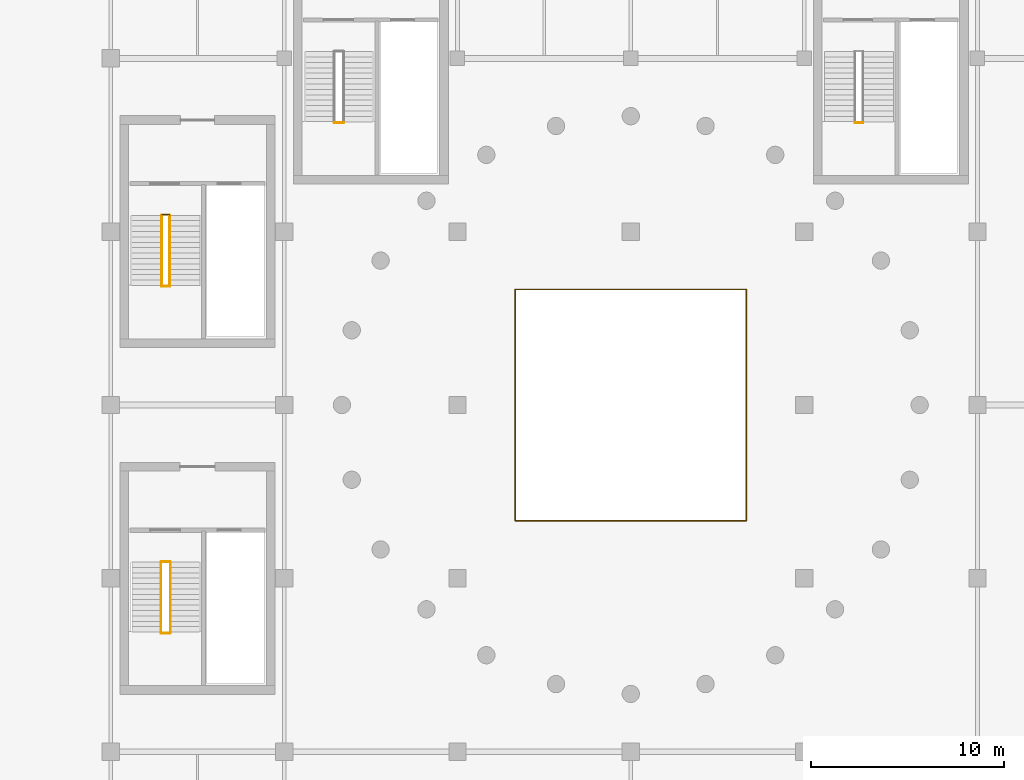
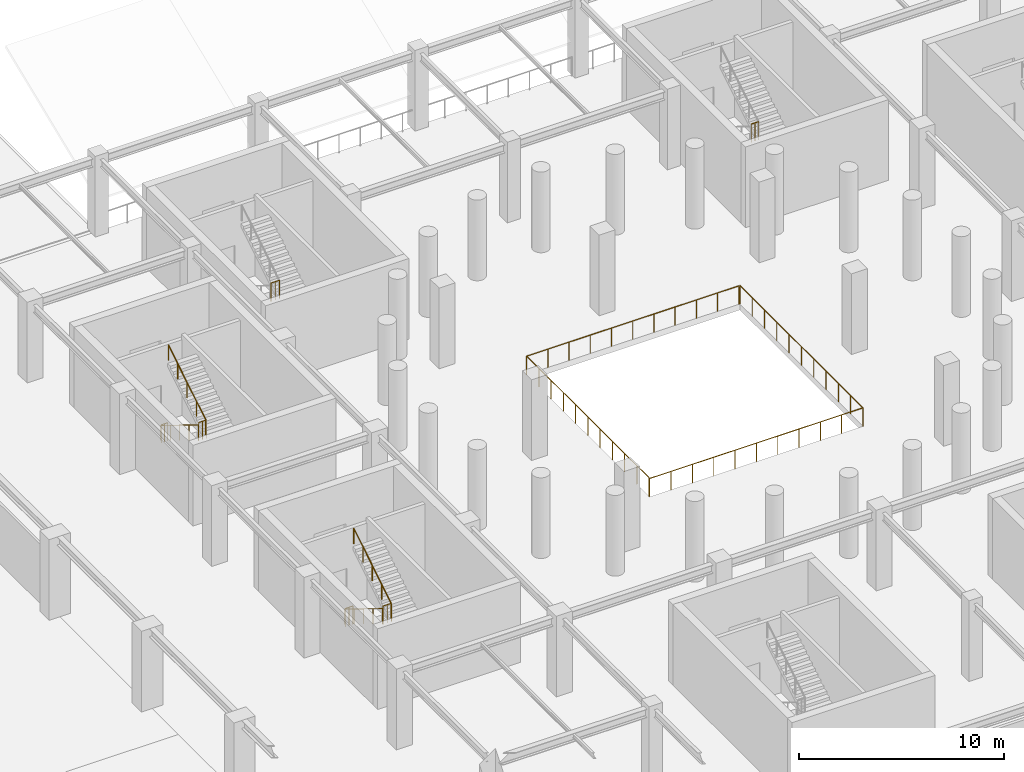
# One storey, part 75 of 89: 12 railings.
"""IFC4 building model written with IfcOpenShell, lengths in metres."""

from ifc_helpers import new_model, si_unit, direction, frame, origin, origin_2d, place, context, subcontext, project, spatial, circle, extrude, material, type_object, element, save


model = new_model("IFC4")

# Units and contexts
model_context = context("Model", 3, precision=1e-05, world=origin(), true_north=direction((0.0, 1.0)))
body_context = subcontext(model_context, "Body", "Model", "MODEL_VIEW")
ifc_project = project(units=[si_unit("LENGTHUNIT", "METRE"), si_unit("AREAUNIT", "SQUARE_METRE"), si_unit("VOLUMEUNIT", "CUBIC_METRE"), si_unit("PLANEANGLEUNIT", "RADIAN"), si_unit("MASSUNIT", "GRAM", prefix="KILO")], contexts=[model_context])

# Site, building, storey
site_placement = place(None, origin())
site = spatial("IfcSite", under=ifc_project, at=site_placement, CompositionType="ELEMENT")
building_placement = place(site_placement, origin())
building = spatial("IfcBuilding", under=site, at=building_placement, Name="Dornveld Trade and Exhibition Forum", CompositionType="ELEMENT")
storey_placement = place(building_placement, frame((0.0, 0.0, 12.0)))
storey = spatial("IfcBuildingStorey", under=building, at=storey_placement, Name="L02", CompositionType="ELEMENT", Elevation=12.0)

# Railings
ifc_material_1 = material(Name="Dark-bronze steel and laminated glass balustrade", Category="steel")
railing_type_1 = type_object("IfcRailingType", Name="RL-BALUST-CONC", PredefinedType="BALUSTRADE", material=ifc_material_1)
railing_1_placement = place(storey_placement, frame((111.0, 75.0, 0.0)))
element("IfcRailing", 1, at=railing_1_placement, inside=storey, type_object=railing_type_1, Name="L02 protective edge guard 16", PredefinedType="BALUSTRADE", context=body_context, shape_type="SweptSolid", body=[
    extrude(circle(Radius=0.02490234375, at=origin_2d()), frame((0.0, 0.0, 1.09521484375), z_axis=(1.0, 0.0, 0.0), x_axis=(0.0, 1.0, 0.0)), (0.0, 0.0, 1.0), 12.0),
    extrude(circle(Radius=0.02490234375, at=origin_2d()), frame((12.0, 0.0, 1.09521484375), z_axis=(0.0, 1.0, 0.0), x_axis=(-1.0, 0.0, 0.0)), (0.0, 0.0, 1.0), 12.0),
    extrude(circle(Radius=0.02099609375, at=origin_2d()), origin(), (0.0, 0.0, 1.0), 1.070068359375),
    extrude(circle(Radius=0.02099609375, at=origin_2d()), frame((1.199951171875, 0.0, 0.0)), (0.0, 0.0, 1.0), 1.070068359375),
    extrude(circle(Radius=0.02099609375, at=origin_2d()), frame((2.39990234375, 0.0, 0.0)), (0.0, 0.0, 1.0), 1.070068359375),
    extrude(circle(Radius=0.02099609375, at=origin_2d()), frame((3.60009765625, 0.0, 0.0)), (0.0, 0.0, 1.0), 1.070068359375),
    extrude(circle(Radius=0.02099609375, at=origin_2d()), frame((4.800048828125, 0.0, 0.0)), (0.0, 0.0, 1.0), 1.070068359375),
    extrude(circle(Radius=0.02099609375, at=origin_2d()), frame((6.0, 0.0, 0.0)), (0.0, 0.0, 1.0), 1.070068359375),
    extrude(circle(Radius=0.02099609375, at=origin_2d()), frame((7.199951171875, 0.0, 0.0)), (0.0, 0.0, 1.0), 1.070068359375),
    extrude(circle(Radius=0.02099609375, at=origin_2d()), frame((8.39990234375, 0.0, 0.0)), (0.0, 0.0, 1.0), 1.070068359375),
    extrude(circle(Radius=0.02099609375, at=origin_2d()), frame((9.60009765625, 0.0, 0.0)), (0.0, 0.0, 1.0), 1.070068359375),
    extrude(circle(Radius=0.02099609375, at=origin_2d()), frame((10.800048828125, 0.0, 0.0)), (0.0, 0.0, 1.0), 1.070068359375),
    extrude(circle(Radius=0.02099609375, at=origin_2d()), frame((12.0, 0.0, 0.0)), (0.0, 0.0, 1.0), 1.070068359375),
    extrude(circle(Radius=0.02099609375, at=origin_2d()), frame((12.0, 1.199951171875, 0.0)), (0.0, 0.0, 1.0), 1.070068359375),
    extrude(circle(Radius=0.02099609375, at=origin_2d()), frame((12.0, 2.39990234375, 0.0)), (0.0, 0.0, 1.0), 1.070068359375),
    extrude(circle(Radius=0.02099609375, at=origin_2d()), frame((12.0, 3.60009765625, 0.0)), (0.0, 0.0, 1.0), 1.070068359375),
    extrude(circle(Radius=0.02099609375, at=origin_2d()), frame((12.0, 4.800048828125, 0.0)), (0.0, 0.0, 1.0), 1.070068359375),
    extrude(circle(Radius=0.02099609375, at=origin_2d()), frame((12.0, 6.0, 0.0)), (0.0, 0.0, 1.0), 1.070068359375),
    extrude(circle(Radius=0.02099609375, at=origin_2d()), frame((12.0, 7.199951171875, 0.0)), (0.0, 0.0, 1.0), 1.070068359375),
    extrude(circle(Radius=0.02099609375, at=origin_2d()), frame((12.0, 8.39990234375, 0.0)), (0.0, 0.0, 1.0), 1.070068359375),
    extrude(circle(Radius=0.02099609375, at=origin_2d()), frame((12.0, 9.60009765625, 0.0)), (0.0, 0.0, 1.0), 1.070068359375),
    extrude(circle(Radius=0.02099609375, at=origin_2d()), frame((12.0, 10.800048828125, 0.0)), (0.0, 0.0, 1.0), 1.070068359375),
    extrude(circle(Radius=0.02099609375, at=origin_2d()), frame((12.0, 12.0, 0.0)), (0.0, 0.0, 1.0), 1.070068359375),
])
railing_2_placement = place(storey_placement, frame((122.93994140625, 87.0, 0.0)))
element("IfcRailing", 2, at=railing_2_placement, inside=storey, type_object=railing_type_1, Name="L02 protective edge guard 17", PredefinedType="BALUSTRADE", context=body_context, shape_type="SweptSolid", body=[
    extrude(circle(Radius=0.02490234375, at=origin_2d()), frame((0.0, 0.0, 1.09521484375), z_axis=(-1.0, 0.0, 0.0), x_axis=(0.0, -1.0, 0.0)), (0.0, 0.0, 1.0), 11.93994140625),
    extrude(circle(Radius=0.02490234375, at=origin_2d()), frame((-11.93994140625, 0.0, 1.09521484375), z_axis=(0.0, -1.0, 0.0), x_axis=(1.0, 0.0, 0.0)), (0.0, 0.0, 1.0), 11.93994140625),
    extrude(circle(Radius=0.02099609375, at=origin_2d()), origin(), (0.0, 0.0, 1.0), 1.070068359375),
    extrude(circle(Radius=0.02099609375, at=origin_2d()), frame((-1.194091796875, 0.0, 0.0)), (0.0, 0.0, 1.0), 1.070068359375),
    extrude(circle(Radius=0.02099609375, at=origin_2d()), frame((-2.387939453125, 0.0, 0.0)), (0.0, 0.0, 1.0), 1.070068359375),
    extrude(circle(Radius=0.02099609375, at=origin_2d()), frame((-3.58203125, 0.0, 0.0)), (0.0, 0.0, 1.0), 1.070068359375),
    extrude(circle(Radius=0.02099609375, at=origin_2d()), frame((-4.77587890625, 0.0, 0.0)), (0.0, 0.0, 1.0), 1.070068359375),
    extrude(circle(Radius=0.02099609375, at=origin_2d()), frame((-5.969970703125, 0.0, 0.0)), (0.0, 0.0, 1.0), 1.070068359375),
    extrude(circle(Radius=0.02099609375, at=origin_2d()), frame((-7.1640625, 0.0, 0.0)), (0.0, 0.0, 1.0), 1.070068359375),
    extrude(circle(Radius=0.02099609375, at=origin_2d()), frame((-8.35791015625, 0.0, 0.0)), (0.0, 0.0, 1.0), 1.070068359375),
    extrude(circle(Radius=0.02099609375, at=origin_2d()), frame((-9.552001953125, 0.0, 0.0)), (0.0, 0.0, 1.0), 1.070068359375),
    extrude(circle(Radius=0.02099609375, at=origin_2d()), frame((-10.745849609375, 0.0, 0.0)), (0.0, 0.0, 1.0), 1.070068359375),
    extrude(circle(Radius=0.02099609375, at=origin_2d()), frame((-11.93994140625, 0.0, 0.0)), (0.0, 0.0, 1.0), 1.070068359375),
    extrude(circle(Radius=0.02099609375, at=origin_2d()), frame((-11.93994140625, -1.194091796875, 0.0)), (0.0, 0.0, 1.0), 1.070068359375),
    extrude(circle(Radius=0.02099609375, at=origin_2d()), frame((-11.93994140625, -2.387939453125, 0.0)), (0.0, 0.0, 1.0), 1.070068359375),
    extrude(circle(Radius=0.02099609375, at=origin_2d()), frame((-11.93994140625, -3.58203125, 0.0)), (0.0, 0.0, 1.0), 1.070068359375),
    extrude(circle(Radius=0.02099609375, at=origin_2d()), frame((-11.93994140625, -4.77587890625, 0.0)), (0.0, 0.0, 1.0), 1.070068359375),
    extrude(circle(Radius=0.02099609375, at=origin_2d()), frame((-11.93994140625, -5.969970703125, 0.0)), (0.0, 0.0, 1.0), 1.070068359375),
    extrude(circle(Radius=0.02099609375, at=origin_2d()), frame((-11.93994140625, -7.1640625, 0.0)), (0.0, 0.0, 1.0), 1.070068359375),
    extrude(circle(Radius=0.02099609375, at=origin_2d()), frame((-11.93994140625, -8.35791015625, 0.0)), (0.0, 0.0, 1.0), 1.070068359375),
    extrude(circle(Radius=0.02099609375, at=origin_2d()), frame((-11.93994140625, -9.552001953125, 0.0)), (0.0, 0.0, 1.0), 1.070068359375),
    extrude(circle(Radius=0.02099609375, at=origin_2d()), frame((-11.93994140625, -10.745849609375, 0.0)), (0.0, 0.0, 1.0), 1.070068359375),
    extrude(circle(Radius=0.02099609375, at=origin_2d()), frame((-11.93994140625, -11.93994140625, 0.0)), (0.0, 0.0, 1.0), 1.070068359375),
])
ifc_material_2 = material(Name="Brushed stainless steel handrail", Category="steel")
railing_type_2 = type_object("IfcRailingType", Name="RL-HAND-920", PredefinedType="HANDRAIL", material=ifc_material_2)
railing_3_placement = place(storey_placement, frame((92.639892578125, 90.85009765625, 0.17138671875)))
element("IfcRailing", 3, at=railing_3_placement, inside=storey, type_object=railing_type_2, Name="ST-04-L02 flight 1 handrail", PredefinedType="HANDRAIL", context=body_context, shape_type="SweptSolid", body=[
    extrude(circle(Radius=0.02099609375, at=origin_2d()), frame((0.0, 0.0, 0.89892578125), z_axis=(0.0, -0.852865859571, 0.52213008492), x_axis=(1.0, 0.0, 0.0)), (0.0, 0.0, 1.0), 4.26806640625),
    extrude(circle(Radius=0.01806640625, at=origin_2d()), origin(), (0.0, 0.0, 1.0), 0.8779296875),
    extrude(circle(Radius=0.01806640625, at=origin_2d()), frame((0.0, -0.91015625, 0.55712890625)), (0.0, 0.0, 1.0), 0.8779296875),
    extrude(circle(Radius=0.01806640625, at=origin_2d()), frame((0.0, -1.820068359375, 1.1142578125)), (0.0, 0.0, 1.0), 0.8779296875),
    extrude(circle(Radius=0.01806640625, at=origin_2d()), frame((0.0, -2.72998046875, 1.67138671875)), (0.0, 0.0, 1.0), 0.8779296875),
    extrude(circle(Radius=0.01806640625, at=origin_2d()), frame((0.0, -3.64013671875, 2.228515625)), (0.0, 0.0, 1.0), 0.8779296875),
])
railing_4_placement = place(storey_placement, frame((93.06005859375, 87.2099609375, 2.5712890625)))
element("IfcRailing", 4, at=railing_4_placement, inside=storey, type_object=railing_type_2, Name="ST-04-L02 flight 2 handrail", PredefinedType="HANDRAIL", context=body_context, shape_type="SweptSolid", body=[
    extrude(circle(Radius=0.02099609375, at=origin_2d()), frame((0.0, 0.0, 0.89892578125), z_axis=(0.0, 0.852840387347, 0.522171689878), x_axis=(-1.0, 0.0, 0.0)), (0.0, 0.0, 1.0), 4.268310546875),
    extrude(circle(Radius=0.01806640625, at=origin_2d()), origin(), (0.0, 0.0, 1.0), 0.8779296875),
    extrude(circle(Radius=0.01806640625, at=origin_2d()), frame((0.0, 0.91015625, 0.55712890625)), (0.0, 0.0, 1.0), 0.8779296875),
    extrude(circle(Radius=0.01806640625, at=origin_2d()), frame((0.0, 1.820068359375, 1.1142578125)), (0.0, 0.0, 1.0), 0.8779296875),
    extrude(circle(Radius=0.01806640625, at=origin_2d()), frame((0.0, 2.72998046875, 1.671630859375)), (0.0, 0.0, 1.0), 0.8779296875),
    extrude(circle(Radius=0.01806640625, at=origin_2d()), frame((0.0, 3.64013671875, 2.228759765625)), (0.0, 0.0, 1.0), 0.8779296875),
])
railing_5_placement = place(storey_placement, frame((92.60498046875, 72.85009765625, 0.17138671875)))
element("IfcRailing", 5, at=railing_5_placement, inside=storey, type_object=railing_type_2, Name="ST-05-L02 flight 1 handrail", PredefinedType="HANDRAIL", context=body_context, shape_type="SweptSolid", body=[
    extrude(circle(Radius=0.02099609375, at=origin_2d()), frame((0.0, 0.0, 0.89892578125), z_axis=(0.0, -0.852865859571, 0.52213008492), x_axis=(1.0, 0.0, 0.0)), (0.0, 0.0, 1.0), 4.26806640625),
    extrude(circle(Radius=0.01806640625, at=origin_2d()), origin(), (0.0, 0.0, 1.0), 0.8779296875),
    extrude(circle(Radius=0.01806640625, at=origin_2d()), frame((0.0, -0.91015625, 0.55712890625)), (0.0, 0.0, 1.0), 0.8779296875),
    extrude(circle(Radius=0.01806640625, at=origin_2d()), frame((0.0, -1.820068359375, 1.1142578125)), (0.0, 0.0, 1.0), 0.8779296875),
    extrude(circle(Radius=0.01806640625, at=origin_2d()), frame((0.0, -2.72998046875, 1.67138671875)), (0.0, 0.0, 1.0), 0.8779296875),
    extrude(circle(Radius=0.01806640625, at=origin_2d()), frame((0.0, -3.64013671875, 2.228515625)), (0.0, 0.0, 1.0), 0.8779296875),
])
railing_6_placement = place(storey_placement, frame((93.094970703125, 69.2099609375, 2.5712890625)))
element("IfcRailing", 6, at=railing_6_placement, inside=storey, type_object=railing_type_2, Name="ST-05-L02 flight 2 handrail", PredefinedType="HANDRAIL", context=body_context, shape_type="SweptSolid", body=[
    extrude(circle(Radius=0.02099609375, at=origin_2d()), frame((0.0, 0.0, 0.89892578125), z_axis=(0.0, 0.852840387347, 0.522171689878), x_axis=(-1.0, 0.0, 0.0)), (0.0, 0.0, 1.0), 4.268310546875),
    extrude(circle(Radius=0.01806640625, at=origin_2d()), origin(), (0.0, 0.0, 1.0), 0.8779296875),
    extrude(circle(Radius=0.01806640625, at=origin_2d()), frame((0.0, 0.91015625, 0.55712890625)), (0.0, 0.0, 1.0), 0.8779296875),
    extrude(circle(Radius=0.01806640625, at=origin_2d()), frame((0.0, 1.820068359375, 1.1142578125)), (0.0, 0.0, 1.0), 0.8779296875),
    extrude(circle(Radius=0.01806640625, at=origin_2d()), frame((0.0, 2.72998046875, 1.671630859375)), (0.0, 0.0, 1.0), 0.8779296875),
    extrude(circle(Radius=0.01806640625, at=origin_2d()), frame((0.0, 3.64013671875, 2.228759765625)), (0.0, 0.0, 1.0), 0.8779296875),
])
ifc_material_3 = material(Name="Painted steel S355J2 stair-well guard", Category="steel")
railing_type_3 = type_object("IfcRailingType", Name="RL-WELL-110", PredefinedType="GUARDRAIL", material=ifc_material_3)
railing_7_placement = place(storey_placement, frame((128.639892578125, 95.659912109375, 2.39990234375)))
element("IfcRailing", 7, at=railing_7_placement, inside=storey, type_object=railing_type_3, Name="ST-02-L02 half-landing well guard", PredefinedType="GUARDRAIL", context=body_context, shape_type="SweptSolid", body=[
    extrude(circle(Radius=0.02392578125, at=origin_2d()), frame((0.0, 0.0, 1.076171875), z_axis=(1.0, 0.0, 0.0), x_axis=(0.0, 1.0, 0.0)), (0.0, 0.0, 1.0), 0.420166015625),
    extrude(circle(Radius=0.02001953125, at=origin_2d()), origin(), (0.0, 0.0, 1.0), 1.052001953125),
    extrude(circle(Radius=0.02001953125, at=origin_2d()), frame((0.2099609375, 0.0, 0.0)), (0.0, 0.0, 1.0), 1.052001953125),
    extrude(circle(Radius=0.02001953125, at=origin_2d()), frame((0.420166015625, 0.0, 0.0)), (0.0, 0.0, 1.0), 1.052001953125),
])
railing_8_placement = place(storey_placement, frame((101.60498046875, 95.659912109375, 2.39990234375)))
element("IfcRailing", 8, at=railing_8_placement, inside=storey, type_object=railing_type_3, Name="ST-03-L02 half-landing well guard", PredefinedType="GUARDRAIL", context=body_context, shape_type="SweptSolid", body=[
    extrude(circle(Radius=0.02392578125, at=origin_2d()), frame((0.0, 0.0, 1.076171875), z_axis=(1.0, 0.0, 0.0), x_axis=(0.0, 1.0, 0.0)), (0.0, 0.0, 1.0), 0.489990234375),
    extrude(circle(Radius=0.02001953125, at=origin_2d()), origin(), (0.0, 0.0, 1.0), 1.052001953125),
    extrude(circle(Radius=0.02001953125, at=origin_2d()), frame((0.2451171875, 0.0, 0.0)), (0.0, 0.0, 1.0), 1.052001953125),
    extrude(circle(Radius=0.02001953125, at=origin_2d()), frame((0.489990234375, 0.0, 0.0)), (0.0, 0.0, 1.0), 1.052001953125),
])
railing_9_placement = place(storey_placement, frame((92.639892578125, 87.159912109375, 2.39990234375)))
element("IfcRailing", 9, at=railing_9_placement, inside=storey, type_object=railing_type_3, Name="ST-04-L02 half-landing well guard", PredefinedType="GUARDRAIL", context=body_context, shape_type="SweptSolid", body=[
    extrude(circle(Radius=0.02392578125, at=origin_2d()), frame((0.0, 0.0, 1.076171875), z_axis=(1.0, 0.0, 0.0), x_axis=(0.0, 1.0, 0.0)), (0.0, 0.0, 1.0), 0.420166015625),
    extrude(circle(Radius=0.02001953125, at=origin_2d()), origin(), (0.0, 0.0, 1.0), 1.052001953125),
    extrude(circle(Radius=0.02001953125, at=origin_2d()), frame((0.2099609375, 0.0, 0.0)), (0.0, 0.0, 1.0), 1.052001953125),
    extrude(circle(Radius=0.02001953125, at=origin_2d()), frame((0.420166015625, 0.0, 0.0)), (0.0, 0.0, 1.0), 1.052001953125),
])
railing_10_placement = place(storey_placement, frame((92.669921875, 90.8701171875, 0.0)))
element("IfcRailing", 10, at=railing_10_placement, inside=storey, type_object=railing_type_3, Name="CORE-04 L02 stair-slot floor guard", PredefinedType="GUARDRAIL", context=body_context, shape_type="SweptSolid", body=[
    extrude(circle(Radius=0.02392578125, at=origin_2d()), frame((0.0, 0.0, 1.076171875), z_axis=(1.0, 0.0, 0.0), x_axis=(0.0, 1.0, 0.0)), (0.0, 0.0, 1.0), 0.360107421875),
    extrude(circle(Radius=0.02001953125, at=origin_2d()), origin(), (0.0, 0.0, 1.0), 1.052001953125),
    extrude(circle(Radius=0.02001953125, at=origin_2d()), frame((0.18017578125, 0.0, 0.0)), (0.0, 0.0, 1.0), 1.052001953125),
    extrude(circle(Radius=0.02001953125, at=origin_2d()), frame((0.360107421875, 0.0, 0.0)), (0.0, 0.0, 1.0), 1.052001953125),
])
railing_11_placement = place(storey_placement, frame((92.60498046875, 69.159912109375, 2.39990234375)))
element("IfcRailing", 11, at=railing_11_placement, inside=storey, type_object=railing_type_3, Name="ST-05-L02 half-landing well guard", PredefinedType="GUARDRAIL", context=body_context, shape_type="SweptSolid", body=[
    extrude(circle(Radius=0.02392578125, at=origin_2d()), frame((0.0, 0.0, 1.076171875), z_axis=(1.0, 0.0, 0.0), x_axis=(0.0, 1.0, 0.0)), (0.0, 0.0, 1.0), 0.489990234375),
    extrude(circle(Radius=0.02001953125, at=origin_2d()), origin(), (0.0, 0.0, 1.0), 1.052001953125),
    extrude(circle(Radius=0.02001953125, at=origin_2d()), frame((0.2451171875, 0.0, 0.0)), (0.0, 0.0, 1.0), 1.052001953125),
    extrude(circle(Radius=0.02001953125, at=origin_2d()), frame((0.489990234375, 0.0, 0.0)), (0.0, 0.0, 1.0), 1.052001953125),
])
railing_12_placement = place(storey_placement, frame((92.635009765625, 72.8701171875, 0.0)))
element("IfcRailing", 12, at=railing_12_placement, inside=storey, type_object=railing_type_3, Name="CORE-05 L02 stair-slot floor guard", PredefinedType="GUARDRAIL", context=body_context, shape_type="SweptSolid", body=[
    extrude(circle(Radius=0.02392578125, at=origin_2d()), frame((0.0, 0.0, 1.076171875), z_axis=(1.0, 0.0, 0.0), x_axis=(0.0, 1.0, 0.0)), (0.0, 0.0, 1.0), 0.429931640625),
    extrude(circle(Radius=0.02001953125, at=origin_2d()), origin(), (0.0, 0.0, 1.0), 1.052001953125),
    extrude(circle(Radius=0.02001953125, at=origin_2d()), frame((0.21484375, 0.0, 0.0)), (0.0, 0.0, 1.0), 1.052001953125),
    extrude(circle(Radius=0.02001953125, at=origin_2d()), frame((0.429931640625, 0.0, 0.0)), (0.0, 0.0, 1.0), 1.052001953125),
])

save(model, "model.ifc")
